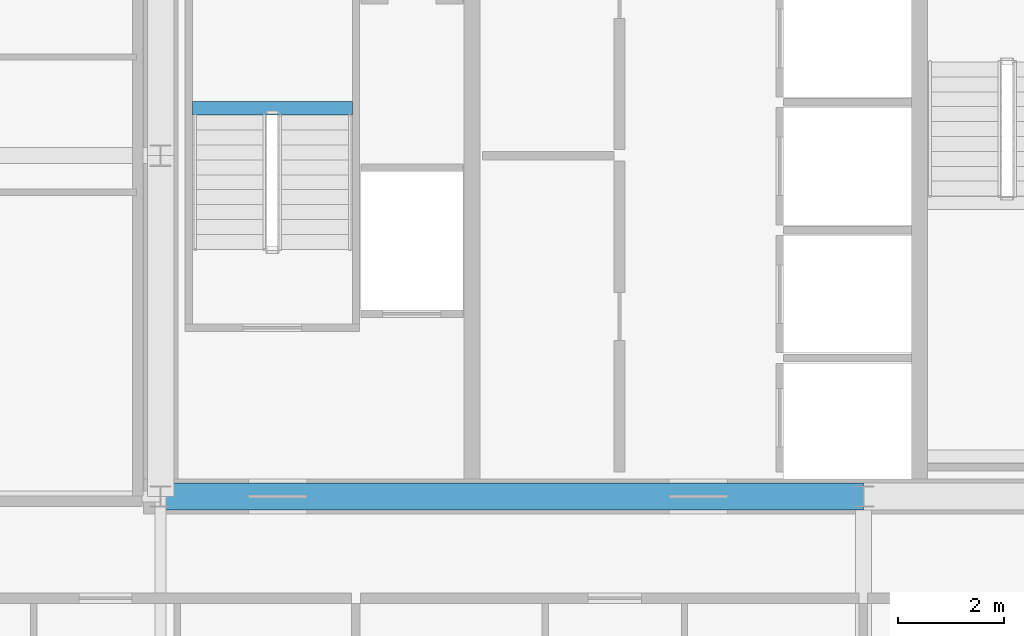
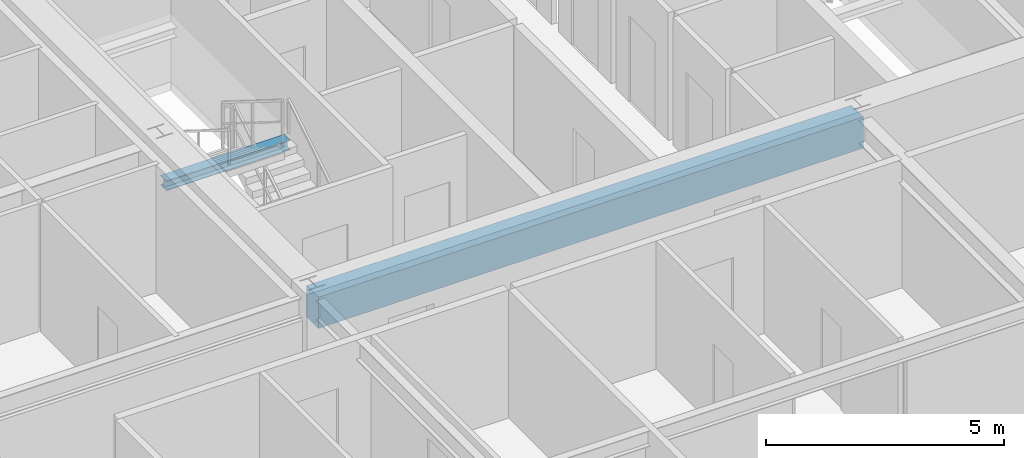
# One storey, part 13 of 38: 2 beams.
"""IFC4 building model written with IfcOpenShell, lengths in metres."""

from ifc_helpers import new_model, si_unit, direction, frame, origin, origin_2d, place, context, subcontext, project, spatial, rectangle, i_section, extrude, source, transform, mapped, material, material_profile, profile_set, type_object, element, save


model = new_model("IFC4")

# Units and contexts
model_context = context("Model", 3, precision=1e-05, world=origin(), true_north=direction((0.0, 1.0)))
body_context = subcontext(model_context, "Body", "Model", "MODEL_VIEW")
ifc_project = project(units=[si_unit("LENGTHUNIT", "METRE"), si_unit("AREAUNIT", "SQUARE_METRE"), si_unit("VOLUMEUNIT", "CUBIC_METRE"), si_unit("PLANEANGLEUNIT", "RADIAN"), si_unit("MASSUNIT", "GRAM", prefix="KILO"), si_unit("THERMODYNAMICTEMPERATUREUNIT", "KELVIN"), si_unit("POWERUNIT", "WATT")], contexts=[model_context])

# Site, building, storey
site_placement = place(None, origin())
site = spatial("IfcSite", under=ifc_project, at=site_placement, CompositionType="ELEMENT")
building_placement = place(site_placement, origin())
building = spatial("IfcBuilding", under=site, at=building_placement, Name="Yuzanri Waterfront Tower", CompositionType="ELEMENT")
storey_placement = place(building_placement, frame((0.0, 0.0, 188.0)))
storey = spatial("IfcBuildingStorey", under=building, at=storey_placement, Name="L49", CompositionType="ELEMENT", Elevation=188.0)

# Beams
ifc_material_1 = material(Name="Concrete C50", Category="concrete")
ifc_material_profile_1 = material_profile(ifc_material_1, rectangle(XDim=0.5, YDim=0.800048828125, at=origin_2d()), Name="RC 500x800")
ifc_profile_set_1 = profile_set([ifc_material_profile_1], Name="Concrete C50")
beam_type_1 = type_object("IfcBeamType", Name="Core Coupling Lintel Concrete C50 500x800", PredefinedType="LINTEL", material=ifc_profile_set_1)
shared_shape_1 = source(origin(), body_context, "Body", "SweptSolid", [
    extrude(rectangle(XDim=0.5, YDim=0.800048828125, at=origin_2d()), origin(), (0.0, 0.0, 1.0), 13.199951171875),
])
beam_1_placement = place(storey_placement, frame((23.800048828125, 19.39990234375, 2.8798828125), z_axis=(1.0, 0.0, 0.0), x_axis=(0.0, 1.0, 0.0)))
element("IfcBeam", 1, at=beam_1_placement, inside=storey, type_object=beam_type_1, Name="L49 Core Tie Beam CS1", PredefinedType="LINTEL", context=body_context, shape_type="MappedRepresentation", body=[
    mapped(shared_shape_1, transform((0.0, 0.0, 0.0), scale=1.0)),
])
ifc_material_2 = material(Name="Steel Q355B", Category="steel")
ifc_material_profile_2 = material_profile(ifc_material_2, i_section(OverallWidth=0.25, OverallDepth=0.25, WebThickness=0.009033203125, FlangeThickness=0.013916015625, at=origin_2d()), Name="HW 250x250x9x14")
ifc_profile_set_2 = profile_set([ifc_material_profile_2], Name="Steel Q355B")
beam_type_2 = type_object("IfcBeamType", Name="Stair Landing Support Beam Q355B HW 250x250", PredefinedType="BEAM", material=ifc_profile_set_2)
shared_shape_2 = source(origin(), body_context, "Body", "SweptSolid", [
    extrude(i_section(OverallWidth=0.25, OverallDepth=0.25, WebThickness=0.009033203125, FlangeThickness=0.013916015625, at=origin_2d()), origin(), (0.0, 0.0, 1.0), 3.0),
])
beam_2_placement = place(storey_placement, frame((24.39990234375, 26.68994140625, 1.425048828125), z_axis=(1.0, 0.0, 0.0), x_axis=(0.0, 1.0, 0.0)))
element("IfcBeam", 2, at=beam_2_placement, inside=storey, type_object=beam_type_2, Name="L49 Stair Landing Support Beam ST-01-L49-L1-1", PredefinedType="BEAM", context=body_context, shape_type="MappedRepresentation", body=[
    mapped(shared_shape_2, transform((0.0, 0.0, 0.0), scale=1.0)),
])

save(model, "model.ifc")
